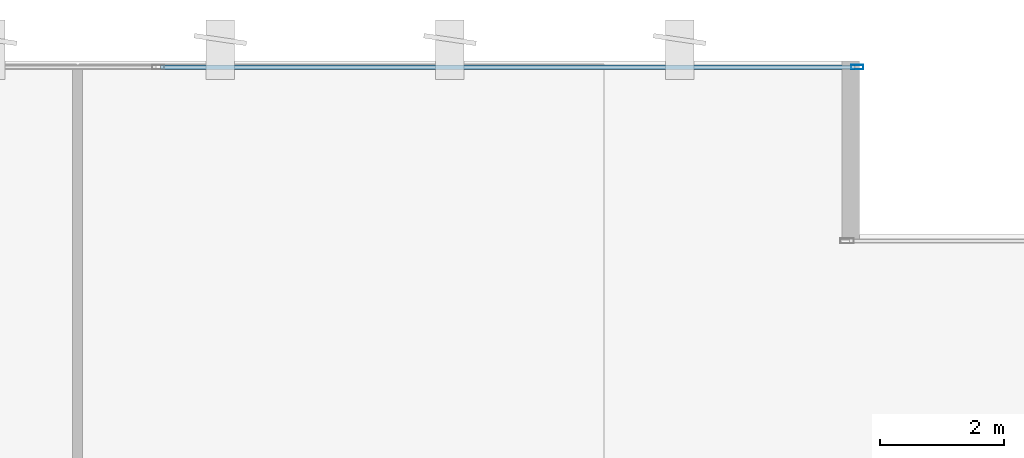
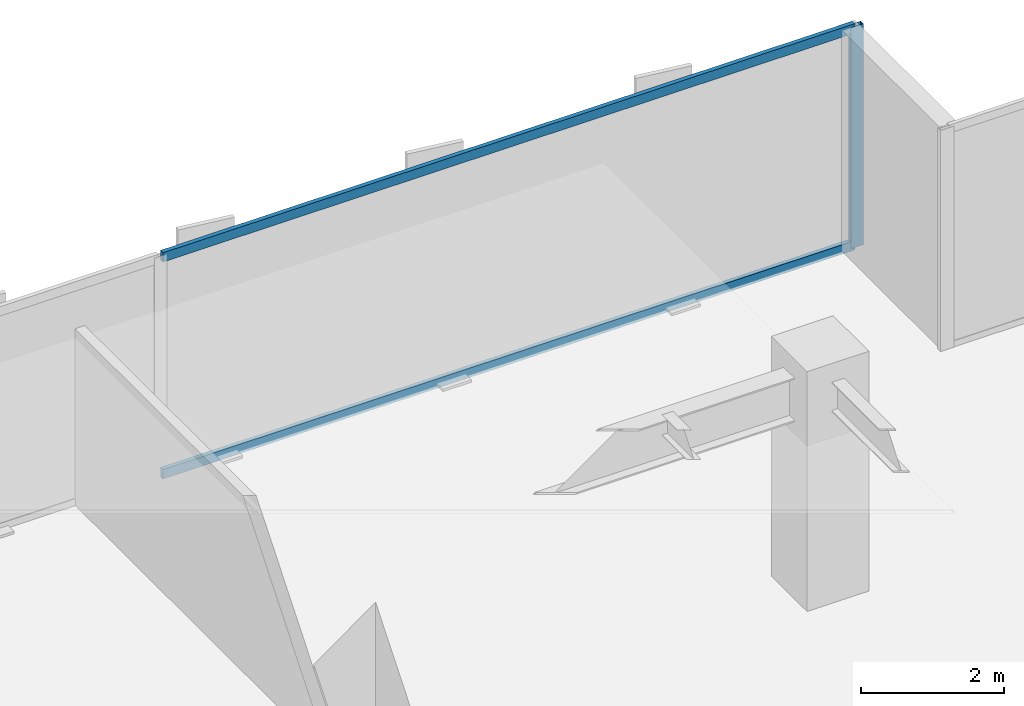
# One storey, part 27 of 37: 3 members, 1 element without a shape of its own.
"""IFC4 building model written with IfcOpenShell, lengths in metres."""

from ifc_helpers import new_model, si_unit, direction, frame, origin, origin_2d, place, context, subcontext, project, spatial, hollow_rectangle, extrude, source, transform, mapped, material, layer, layer_set, material_profile, profile_set, type_object, type_shapes, element, aggregate, save


model = new_model("IFC4")

# Units and contexts
model_context = context("Model", 3, precision=1e-05, world=origin(), true_north=direction((0.0, 1.0)))
body_context = subcontext(model_context, "Body", "Model", "MODEL_VIEW")
ifc_project = project(units=[si_unit("LENGTHUNIT", "METRE"), si_unit("AREAUNIT", "SQUARE_METRE"), si_unit("VOLUMEUNIT", "CUBIC_METRE"), si_unit("PLANEANGLEUNIT", "RADIAN"), si_unit("MASSUNIT", "GRAM", prefix="KILO")], contexts=[model_context])

# Site, building, storey
site_placement = place(None, origin())
site = spatial("IfcSite", under=ifc_project, at=site_placement, CompositionType="ELEMENT")
building_placement = place(site_placement, origin())
building = spatial("IfcBuilding", under=site, at=building_placement, Name="Haelvirn Gate Laboratories", CompositionType="ELEMENT")
storey_placement = place(building_placement, frame((0.0, 0.0, 74.39990234375)))
storey = spatial("IfcBuildingStorey", under=building, at=storey_placement, Name="L18", CompositionType="ELEMENT", Elevation=74.39990234375)

# Curtain wall, members
ifc_material_1 = material(Name="Anodised bronze unitised aluminium & triple low-E glass", Category="aluminium")
ifc_layer = layer(ifc_material_1, 0.18408203125, Name="CW-SYS-2")
ifc_layer_set = layer_set([ifc_layer], Name="Anodised bronze unitised aluminium & triple low-E glass")
curtain_wall_type = type_object("IfcCurtainWallType", Name="CW-SYS-2", PredefinedType="NOTDEFINED", material=ifc_layer_set)
curtain_wall_placement = place(storey_placement, origin())
curtain_wall = element("IfcCurtainWall", 1, at=curtain_wall_placement, inside=storey, type_object=curtain_wall_type, Name="L18 Unitised Curtain Wall CW-L18-P0-E10-1", PredefinedType="NOTDEFINED")
ifc_material_2 = material(Name="Extruded aluminium 6063-T6 (anodised bronze)", Category="aluminium")
ifc_material_profile_1 = material_profile(ifc_material_2, hollow_rectangle(XDim=0.074951171875, YDim=0.199951171875, WallThickness=0.0048828125, at=origin_2d()), Name="CWM-200x75x5")
ifc_profile_set_1 = profile_set([ifc_material_profile_1], Name="Extruded aluminium 6063-T6 (anodised bronze)")
member_type_1 = type_object("IfcMemberType", Name="CWM-T200", PredefinedType="MULLION", material=ifc_profile_set_1)
shared_shape_1 = source(origin(), body_context, "Body", "SweptSolid", [
    extrude(hollow_rectangle(XDim=0.074951171875, YDim=0.199951171875, WallThickness=0.0048828125, at=origin_2d()), origin(), (0.0, 0.0, 1.0), 3.780029296875),
])
type_shapes(member_type_1, [shared_shape_1])
member_1_placement = place(storey_placement, frame((71.96240234375, 48.5, 0.0), z_axis=(0.0, 0.0, 1.0), x_axis=(0.0, 1.0, 0.0)))
member_1 = element("IfcMember", 2, at=member_1_placement, type_object=member_type_1, Name="CW2 mullion 3", PredefinedType="MULLION", context=body_context, shape_type="MappedRepresentation", body=[
    mapped(shared_shape_1, transform((0.0, 0.0, 0.0), scale=1.0)),
])
ifc_material_profile_2 = material_profile(ifc_material_2, hollow_rectangle(XDim=0.070068359375, YDim=0.159912109375, WallThickness=0.0048828125, at=origin_2d()), Name="CWT-160x70x5")
ifc_profile_set_2 = profile_set([ifc_material_profile_2], Name="Extruded aluminium 6063-T6 (anodised bronze)")
member_type_2 = type_object("IfcMemberType", Name="CWT-T160", PredefinedType="USERDEFINED", material=ifc_profile_set_2)
shared_shape_2 = source(origin(), body_context, "Body", "SweptSolid", [
    extrude(hollow_rectangle(XDim=0.070068359375, YDim=0.159912109375, WallThickness=0.0048828125, at=origin_2d()), origin(), (0.0, 0.0, 1.0), 11.1875),
])
type_shapes(member_type_2, [shared_shape_2])
member_2_placement = place(storey_placement, frame((60.737548828125, 48.5, 0.03515625), z_axis=(1.0, 0.0, 0.0), x_axis=(0.0, 1.0, 0.0)))
member_2 = element("IfcMember", 3, at=member_2_placement, type_object=member_type_2, Name="CW2 transom 2.1", ObjectType="TRANSOM", PredefinedType="USERDEFINED", context=body_context, shape_type="MappedRepresentation", body=[
    mapped(shared_shape_2, transform((0.0, 0.0, 0.0), scale=1.0)),
])
member_3_placement = place(storey_placement, frame((60.737548828125, 48.5, 3.7451171875), z_axis=(1.0, 0.0, 0.0), x_axis=(0.0, 1.0, 0.0)))
member_3 = element("IfcMember", 4, at=member_3_placement, type_object=member_type_2, Name="CW2 transom 2.2", ObjectType="TRANSOM", PredefinedType="USERDEFINED", context=body_context, shape_type="MappedRepresentation", body=[
    mapped(shared_shape_2, transform((0.0, 0.0, 0.0), scale=1.0)),
])
aggregate(curtain_wall, [member_1, member_2, member_3])

save(model, "model.ifc")
